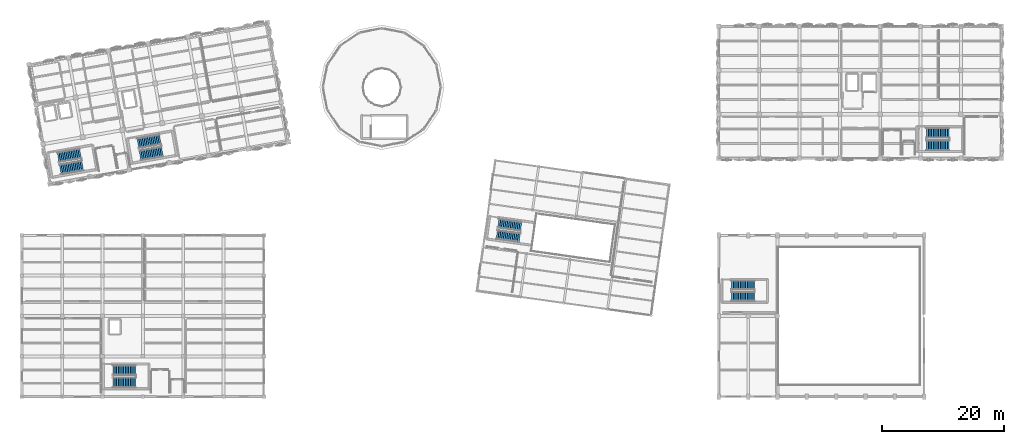
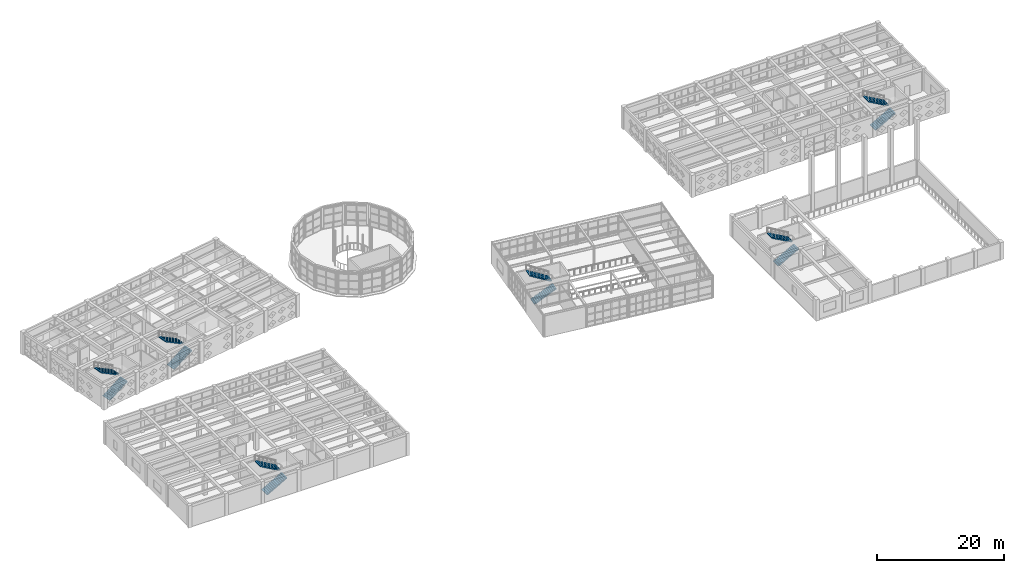
# One storey, part 72 of 80: 12 stair flights, 6 elements without a shape of their own.
"""IFC4 building model written with IfcOpenShell, lengths in metres."""

import ifcopenshell
import ifcopenshell.guid

model = None  # the IFC model being written
_history = None  # IfcOwnerHistory: only IFC2X3 demands one
_inside = {}  # id of a spatial element -> (the spatial element, [elements in it])
_under = {}  # id of a project, library or spatial element -> (it, [spatial elements below it])
_declared = {}  # id of a project -> (the project, [libraries it declares])
_typed = {}  # id of a type object -> (the type object, [elements of that type])
_made_of = {}  # id of a material, layer set ... -> (it, [elements and type objects made of it])


def new_model(schema):
    """Start an empty IFC model of exactly this schema.

    Asked for "IFC4X3", IfcOpenShell would pick the latest addendum, in which some entities
    have other attributes; the version numbers below select the first issue.
    IFC2X3 requires an IfcOwnerHistory on every rooted entity: one is made here for all.
    """
    global model, _history
    if schema == "IFC4X3":
        model = ifcopenshell.file(schema_version=(4, 3, 0, 0))
    else:
        model = ifcopenshell.file(schema=schema)
    _inside.clear()
    _under.clear()
    _declared.clear()
    _typed.clear()
    _made_of.clear()
    _history = None
    if model.schema == "IFC2X3":
        org = make("IfcOrganization", Name="unknown")
        user = make(
            "IfcPersonAndOrganization",
            ThePerson=make("IfcPerson", FamilyName="unknown"),
            TheOrganization=org,
        )
        app = make(
            "IfcApplication",
            ApplicationDeveloper=org,
            Version="unknown",
            ApplicationFullName="unknown",
            ApplicationIdentifier="unknown",
        )
        _history = make(
            "IfcOwnerHistory",
            OwningUser=user,
            OwningApplication=app,
            ChangeAction="ADDED",
            CreationDate=0,
        )
    return model


def make(cls, **values):
    """One entity of the class cls with the attributes given. An attribute that is None is left unset."""
    return model.create_entity(
        cls, **{name: value for name, value in values.items() if value is not None}
    )


def rooted(cls, **values):
    """An entity with a GlobalId (a new one), such as an element, a storey or a relation."""
    return make(cls, GlobalId=ifcopenshell.guid.new(), OwnerHistory=_history, **values)


def si_unit(unit_type, name, prefix=None):
    """IfcSIUnit, for example si_unit("LENGTHUNIT", "METRE", prefix="MILLI")."""
    return make("IfcSIUnit", UnitType=unit_type, Prefix=prefix, Name=name)


def assignment(units):
    """IfcUnitAssignment: the units of a project."""
    return None if units is None else make("IfcUnitAssignment", Units=units)


def point(xyz):
    """IfcCartesianPoint."""
    return None if xyz is None else make("IfcCartesianPoint", Coordinates=xyz)


def direction(xyz):
    """IfcDirection."""
    return None if xyz is None else make("IfcDirection", DirectionRatios=xyz)


def frame(location, z_axis=None, x_axis=None):
    """IfcAxis2Placement3D, a coordinate frame: its origin and axes. An axis left out is left unset."""
    return make(
        "IfcAxis2Placement3D",
        Location=point(location),
        Axis=direction(z_axis),
        RefDirection=direction(x_axis),
    )


def origin():
    """The frame at (0, 0, 0) with its axes left unset."""
    return frame((0.0, 0.0, 0.0))


def place(relative_to, where):
    """IfcLocalPlacement: puts the frame where relative to a parent placement (None: the world)."""
    return make(
        "IfcLocalPlacement", PlacementRelTo=relative_to, RelativePlacement=where
    )


def context(
    kind, dimensions, precision=None, world=None, true_north=None, identifier=None
):
    """IfcGeometricRepresentationContext, for example the 3D "Model" context."""
    return make(
        "IfcGeometricRepresentationContext",
        ContextIdentifier=identifier,
        ContextType=kind,
        CoordinateSpaceDimension=dimensions,
        Precision=precision,
        WorldCoordinateSystem=world,
        TrueNorth=true_north,
    )


def subcontext(parent, identifier, kind, view, scale=None):
    """IfcGeometricRepresentationSubContext, for example "Body" below "Model"."""
    return make(
        "IfcGeometricRepresentationSubContext",
        ContextIdentifier=identifier,
        ContextType=kind,
        ParentContext=parent,
        TargetScale=scale,
        TargetView=view,
    )


def project(units=None, contexts=None):
    """IfcProject with its units and contexts."""
    return rooted(
        "IfcProject",
        Name="project",
        RepresentationContexts=contexts,
        UnitsInContext=assignment(units),
    )


def spatial(cls, under=None, at=None, **own):
    """A site, building, storey or space (cls), placed at a placement, below another one or the project."""
    s = rooted(cls, ObjectPlacement=at, **own)
    if under is not None:
        _under.setdefault(under.id(), (under, []))[1].append(s)
    return s


def polyline(points):
    """IfcPolyline through the points."""
    return make("IfcPolyline", Points=[point(p) for p in points])


def outline(outer, holes=None, kind="AREA"):
    """IfcArbitraryClosedProfileDef: a profile drawn as a closed curve; with holes, ...WithVoids."""
    if holes is None:
        return make("IfcArbitraryClosedProfileDef", ProfileType=kind, OuterCurve=outer)
    return make(
        "IfcArbitraryProfileDefWithVoids",
        ProfileType=kind,
        OuterCurve=outer,
        InnerCurves=holes,
    )


def extrude(swept, where, along, depth):
    """IfcExtrudedAreaSolid: the profile swept, set in the frame where, extruded along a direction by depth."""
    return make(
        "IfcExtrudedAreaSolid",
        SweptArea=swept,
        Position=where,
        ExtrudedDirection=direction(along),
        Depth=depth,
    )


def shape(context_of_items, identifier, shape_type, items):
    """IfcShapeRepresentation: the items that make up one representation, for example the "Body"."""
    return make(
        "IfcShapeRepresentation",
        ContextOfItems=context_of_items,
        RepresentationIdentifier=identifier,
        RepresentationType=shape_type,
        Items=items,
    )


def material(Name=None, Category=None):
    """IfcMaterial."""
    return make("IfcMaterial", Name=Name, Category=Category)


def made_of(thing, what):
    """Note that an element or type object is made of a material, layer set ...; save() writes the relation."""
    if what is not None:
        _made_of.setdefault(what.id(), (what, []))[1].append(thing)
    return thing


def type_object(cls, material=None, **own):
    """A type object (cls), such as IfcWallType, which elements share."""
    return made_of(rooted(cls, **own), material)


def element(
    cls,
    number,
    at=None,
    inside=None,
    cuts=None,
    type_object=None,
    material=None,
    context=None,
    identifier="Body",
    shape_type=None,
    held_by="IfcProductDefinitionShape",
    body=None,
    shapes=None,
    **own,
):
    """One element of the class cls, such as IfcWall. Its Tag is "e" and its number.

    at: its placement. inside: the storey or other place that contains it. cuts: it is an
    opening in that element (IfcRelVoidsElement). A single representation is given by context,
    identifier, shape_type and body (its items); several are given by shapes. held_by: the class
    of the entity that holds the representations. save() writes the other relations.
    """
    e = rooted(cls, Tag="e%d" % number, ObjectPlacement=at, **own)
    if body is not None:
        shapes = [shape(context, identifier, shape_type, body)]
    if shapes is not None:
        e.Representation = make(held_by, Representations=shapes)
    if inside is not None:
        _inside.setdefault(inside.id(), (inside, []))[1].append(e)
    if cuts is not None:
        rooted(
            "IfcRelVoidsElement", RelatingBuildingElement=cuts, RelatedOpeningElement=e
        )
    if type_object is not None:
        _typed.setdefault(type_object.id(), (type_object, []))[1].append(e)
    return made_of(e, material)


def aggregate(whole, parts):
    """IfcRelAggregates: a whole, such as a stair, and the parts it consists of."""
    return rooted("IfcRelAggregates", RelatingObject=whole, RelatedObjects=parts)


def save(model, path):
    """Write the relations noted so far, then the file.

    IfcRelAggregates (storeys below a building ...), IfcRelContainedInSpatialStructure (elements
    in a storey), IfcRelDefinesByType, IfcRelAssociatesMaterial and IfcRelDeclares: one each for
    every whole, place, type object, material and project.
    """
    for whole, parts in _under.values():
        aggregate(whole, parts)
    for where, things in _inside.values():
        rooted(
            "IfcRelContainedInSpatialStructure",
            RelatedElements=things,
            RelatingStructure=where,
        )
    for kind, things in _typed.values():
        rooted("IfcRelDefinesByType", RelatedObjects=things, RelatingType=kind)
    for what, things in _made_of.values():
        rooted("IfcRelAssociatesMaterial", RelatedObjects=things, RelatingMaterial=what)
    for by, libraries in _declared.values():
        rooted("IfcRelDeclares", RelatingContext=by, RelatedDefinitions=libraries)
    model.write(path)


model = new_model("IFC4")

# Units and contexts
model_context = context("Model", 3, precision=1e-05, world=origin(), true_north=direction((0.0, 1.0)))
body_context = subcontext(model_context, "Body", "Model", "MODEL_VIEW")
ifc_project = project(units=[si_unit("LENGTHUNIT", "METRE"), si_unit("AREAUNIT", "SQUARE_METRE"), si_unit("VOLUMEUNIT", "CUBIC_METRE"), si_unit("PLANEANGLEUNIT", "RADIAN"), si_unit("MASSUNIT", "GRAM", prefix="KILO")], contexts=[model_context])

# Site, building, storey
site_placement = place(None, origin())
site = spatial("IfcSite", under=ifc_project, at=site_placement, CompositionType="ELEMENT")
building_placement = place(site_placement, origin())
building = spatial("IfcBuilding", under=site, at=building_placement, Name="Kharisveld Research Institute", CompositionType="ELEMENT")
storey_placement = place(building_placement, frame((0.0, 0.0, 5.10009765625)))
storey = spatial("IfcBuildingStorey", under=building, at=storey_placement, Name="L01", CompositionType="ELEMENT", Elevation=5.10009765625)

# Stair, stair flights
ifc_material_1 = material(Name="Concrete C40/50", Category="concrete")
stair_type_1 = type_object("IfcStairType", Name="ST_FEAT_154", PredefinedType="TWO_STRAIGHT_RUN_STAIR", material=ifc_material_1)
stair_1_placement = place(storey_placement, origin())
stair_1 = element("IfcStair", 1, at=stair_1_placement, inside=storey, type_object=stair_type_1, Name="STR:ST5:L01", PredefinedType="TWO_STRAIGHT_RUN_STAIR")
ifc_material_2 = material(Name="Concrete C40/50", Category="concrete")
stair_flight_type_1 = type_object("IfcStairFlightType", Name="SF_RUN_154", PredefinedType="STRAIGHT", material=ifc_material_2)
stair_flight_1_placement = place(storey_placement, frame((78.28271484375, 26.70263671875, 0.0), z_axis=(0.0, 0.0, 1.0), x_axis=(0.990268068742, -0.13917310096, 0.0)))
stair_flight_1 = element("IfcStairFlight", 2, at=stair_flight_1_placement, type_object=stair_flight_type_1, Name="ST-05 flight 1", NumberOfRisers=14, NumberOfTreads=13, PredefinedType="STRAIGHT", RiserHeight=0.160714, TreadLength=0.29, context=body_context, shape_type="SweptSolid", body=[
    extrude(outline(polyline([(0.0, 0.0), (0.0, 0.16064453125), (0.2900390625, 0.16064453125), (0.2900390625, 0.321533203125), (0.580078125, 0.321533203125), (0.580078125, 0.482177734375), (0.8701171875, 0.482177734375), (0.8701171875, 0.642822265625), (1.159912109375, 0.642822265625), (1.159912109375, 0.803466796875), (1.449951171875, 0.803466796875), (1.449951171875, 0.96435546875), (1.739990234375, 0.96435546875), (1.739990234375, 1.125), (2.030029296875, 1.125), (2.030029296875, 1.28564453125), (2.320068359375, 1.28564453125), (2.320068359375, 1.446533203125), (2.610107421875, 1.446533203125), (2.610107421875, 1.607177734375), (2.89990234375, 1.607177734375), (2.89990234375, 1.767822265625), (3.18994140625, 1.767822265625), (3.18994140625, 1.928466796875), (3.47998046875, 1.928466796875), (3.47998046875, 2.08935546875), (3.77001953125, 2.08935546875), (3.77001953125, 2.25), (3.77001953125, 1.91796875), (0.309326171875, 0.0), (0.0, 0.0)])), frame((0.0, 0.77001953125, 0.0), z_axis=(0.0, -1.0, 0.0), x_axis=(1.0, 0.0, 0.0)), (0.0, 0.0, 1.0), 1.5400390625),
])
stair_flight_2_placement = place(storey_placement, frame((82.280517578125, 28.0595703125, 2.25), z_axis=(0.0, 0.0, 1.0), x_axis=(-0.990268068742, 0.13917310096, 0.0)))
stair_flight_2 = element("IfcStairFlight", 3, at=stair_flight_2_placement, type_object=stair_flight_type_1, Name="ST-05 flight 2", NumberOfRisers=14, NumberOfTreads=13, PredefinedType="STRAIGHT", RiserHeight=0.160714, TreadLength=0.29, context=body_context, shape_type="SweptSolid", body=[
    extrude(outline(polyline([(0.0, 0.0), (0.0, 0.16064453125), (0.2900390625, 0.16064453125), (0.2900390625, 0.321533203125), (0.580078125, 0.321533203125), (0.580078125, 0.482177734375), (0.8701171875, 0.482177734375), (0.8701171875, 0.642822265625), (1.159912109375, 0.642822265625), (1.159912109375, 0.803466796875), (1.449951171875, 0.803466796875), (1.449951171875, 0.96435546875), (1.739990234375, 0.96435546875), (1.739990234375, 1.125), (2.030029296875, 1.125), (2.030029296875, 1.28564453125), (2.320068359375, 1.28564453125), (2.320068359375, 1.446533203125), (2.610107421875, 1.446533203125), (2.610107421875, 1.607177734375), (2.89990234375, 1.607177734375), (2.89990234375, 1.767822265625), (3.18994140625, 1.767822265625), (3.18994140625, 1.928466796875), (3.47998046875, 1.928466796875), (3.47998046875, 2.08935546875), (3.77001953125, 2.08935546875), (3.77001953125, 2.25), (3.77001953125, 1.91796875), (0.309326171875, 0.0), (0.0, 0.0)])), frame((0.0, 0.77001953125, 0.0), z_axis=(0.0, -1.0, 0.0), x_axis=(1.0, 0.0, 0.0)), (0.0, 0.0, 1.0), 1.5400390625),
])
aggregate(stair_1, [stair_flight_1, stair_flight_2])

stair_2_placement = place(storey_placement, origin())
stair_2 = element("IfcStair", 4, at=stair_2_placement, inside=storey, type_object=stair_type_1, Name="STR:ST6:L01", PredefinedType="TWO_STRAIGHT_RUN_STAIR")
stair_flight_3_placement = place(storey_placement, frame((116.669921875, 16.570068359375, 0.0), z_axis=(0.0, 0.0, 1.0), x_axis=(1.0, 0.0, 0.0)))
stair_flight_3 = element("IfcStairFlight", 5, at=stair_flight_3_placement, type_object=stair_flight_type_1, Name="ST-06 flight 1", NumberOfRisers=14, NumberOfTreads=13, PredefinedType="STRAIGHT", RiserHeight=0.160714, TreadLength=0.29, context=body_context, shape_type="SweptSolid", body=[
    extrude(outline(polyline([(0.0, 0.0), (0.0, 0.16064453125), (0.2900390625, 0.16064453125), (0.2900390625, 0.321533203125), (0.580078125, 0.321533203125), (0.580078125, 0.482177734375), (0.8701171875, 0.482177734375), (0.8701171875, 0.642822265625), (1.159912109375, 0.642822265625), (1.159912109375, 0.803466796875), (1.449951171875, 0.803466796875), (1.449951171875, 0.96435546875), (1.739990234375, 0.96435546875), (1.739990234375, 1.125), (2.030029296875, 1.125), (2.030029296875, 1.28564453125), (2.320068359375, 1.28564453125), (2.320068359375, 1.446533203125), (2.610107421875, 1.446533203125), (2.610107421875, 1.607177734375), (2.89990234375, 1.607177734375), (2.89990234375, 1.767822265625), (3.18994140625, 1.767822265625), (3.18994140625, 1.928466796875), (3.47998046875, 1.928466796875), (3.47998046875, 2.08935546875), (3.77001953125, 2.08935546875), (3.77001953125, 2.25), (3.77001953125, 1.91796875), (0.309326171875, 0.0), (0.0, 0.0)])), frame((0.0, 0.77001953125, 0.0), z_axis=(0.0, -1.0, 0.0), x_axis=(1.0, 0.0, 0.0)), (0.0, 0.0, 1.0), 1.5400390625),
])
stair_flight_4_placement = place(storey_placement, frame((120.43994140625, 18.469970703125, 2.25), z_axis=(0.0, 0.0, 1.0), x_axis=(-1.0, 0.0, 0.0)))
stair_flight_4 = element("IfcStairFlight", 6, at=stair_flight_4_placement, type_object=stair_flight_type_1, Name="ST-06 flight 2", NumberOfRisers=14, NumberOfTreads=13, PredefinedType="STRAIGHT", RiserHeight=0.160714, TreadLength=0.29, context=body_context, shape_type="SweptSolid", body=[
    extrude(outline(polyline([(0.0, 0.0), (0.0, 0.16064453125), (0.2900390625, 0.16064453125), (0.2900390625, 0.321533203125), (0.580078125, 0.321533203125), (0.580078125, 0.482177734375), (0.8701171875, 0.482177734375), (0.8701171875, 0.642822265625), (1.159912109375, 0.642822265625), (1.159912109375, 0.803466796875), (1.449951171875, 0.803466796875), (1.449951171875, 0.96435546875), (1.739990234375, 0.96435546875), (1.739990234375, 1.125), (2.030029296875, 1.125), (2.030029296875, 1.28564453125), (2.320068359375, 1.28564453125), (2.320068359375, 1.446533203125), (2.610107421875, 1.446533203125), (2.610107421875, 1.607177734375), (2.89990234375, 1.607177734375), (2.89990234375, 1.767822265625), (3.18994140625, 1.767822265625), (3.18994140625, 1.928466796875), (3.47998046875, 1.928466796875), (3.47998046875, 2.08935546875), (3.77001953125, 2.08935546875), (3.77001953125, 2.25), (3.77001953125, 1.91796875), (0.309326171875, 0.0), (0.0, 0.0)])), frame((0.0, 0.77001953125, 0.0), z_axis=(0.0, -1.0, 0.0), x_axis=(1.0, 0.0, 0.0)), (0.0, 0.0, 1.0), 1.5400390625),
])
aggregate(stair_2, [stair_flight_3, stair_flight_4])

ifc_material_3 = material(Name="Concrete C40/50", Category="concrete")
stair_type_2 = type_object("IfcStairType", Name="ST_EXIT_170", PredefinedType="TWO_STRAIGHT_RUN_STAIR", material=ifc_material_3)
stair_3_placement = place(storey_placement, origin())
stair_3 = element("IfcStair", 7, at=stair_3_placement, inside=storey, type_object=stair_type_2, Name="STR:ST1:L01", PredefinedType="TWO_STRAIGHT_RUN_STAIR")
ifc_material_4 = material(Name="Concrete C40/50", Category="concrete")
stair_flight_type_2 = type_object("IfcStairFlightType", Name="SF_RUN_170", PredefinedType="STRAIGHT", material=ifc_material_4)
stair_flight_5_placement = place(storey_placement, frame((6.891357421875, 37.339111328125, 0.0), z_axis=(0.0, 0.0, 1.0), x_axis=(0.984807753012, 0.173648177667, 0.0)))
stair_flight_5 = element("IfcStairFlight", 8, at=stair_flight_5_placement, type_object=stair_flight_type_2, Name="ST-01 flight 1", NumberOfRisers=14, NumberOfTreads=13, PredefinedType="STRAIGHT", RiserHeight=0.160714, TreadLength=0.285, context=body_context, shape_type="SweptSolid", body=[
    extrude(outline(polyline([(0.0, 0.0), (0.0, 0.16064453125), (0.284912109375, 0.16064453125), (0.284912109375, 0.321533203125), (0.570068359375, 0.321533203125), (0.570068359375, 0.482177734375), (0.85498046875, 0.482177734375), (0.85498046875, 0.642822265625), (1.139892578125, 0.642822265625), (1.139892578125, 0.803466796875), (1.425048828125, 0.803466796875), (1.425048828125, 0.96435546875), (1.7099609375, 0.96435546875), (1.7099609375, 1.125), (1.9951171875, 1.125), (1.9951171875, 1.28564453125), (2.280029296875, 1.28564453125), (2.280029296875, 1.446533203125), (2.56494140625, 1.446533203125), (2.56494140625, 1.607177734375), (2.85009765625, 1.607177734375), (2.85009765625, 1.767822265625), (3.135009765625, 1.767822265625), (3.135009765625, 1.928466796875), (3.419921875, 1.928466796875), (3.419921875, 2.08935546875), (3.705078125, 2.08935546875), (3.705078125, 2.25), (3.705078125, 1.917236328125), (0.30517578125, 0.0), (0.0, 0.0)])), frame((0.0, 0.85009765625, 0.0), z_axis=(0.0, -1.0, 0.0), x_axis=(1.0, 0.0, 0.0)), (0.0, 0.0, 1.0), 1.699951171875),
])
stair_flight_6_placement = place(storey_placement, frame((10.182373046875, 40.01123046875, 2.25), z_axis=(0.0, 0.0, 1.0), x_axis=(-0.984807753012, -0.173648177667, 0.0)))
stair_flight_6 = element("IfcStairFlight", 9, at=stair_flight_6_placement, type_object=stair_flight_type_2, Name="ST-01 flight 2", NumberOfRisers=14, NumberOfTreads=13, PredefinedType="STRAIGHT", RiserHeight=0.160714, TreadLength=0.285, context=body_context, shape_type="SweptSolid", body=[
    extrude(outline(polyline([(0.0, 0.0), (0.0, 0.16064453125), (0.284912109375, 0.16064453125), (0.284912109375, 0.321533203125), (0.570068359375, 0.321533203125), (0.570068359375, 0.482177734375), (0.85498046875, 0.482177734375), (0.85498046875, 0.642822265625), (1.139892578125, 0.642822265625), (1.139892578125, 0.803466796875), (1.425048828125, 0.803466796875), (1.425048828125, 0.96435546875), (1.7099609375, 0.96435546875), (1.7099609375, 1.125), (1.9951171875, 1.125), (1.9951171875, 1.28564453125), (2.280029296875, 1.28564453125), (2.280029296875, 1.446533203125), (2.56494140625, 1.446533203125), (2.56494140625, 1.607177734375), (2.85009765625, 1.607177734375), (2.85009765625, 1.767822265625), (3.135009765625, 1.767822265625), (3.135009765625, 1.928466796875), (3.419921875, 1.928466796875), (3.419921875, 2.08935546875), (3.705078125, 2.08935546875), (3.705078125, 2.25), (3.705078125, 1.917236328125), (0.30517578125, 0.0), (0.0, 0.0)])), frame((0.0, 0.85009765625, 0.0), z_axis=(0.0, -1.0, 0.0), x_axis=(1.0, 0.0, 0.0)), (0.0, 0.0, 1.0), 1.699951171875),
])
aggregate(stair_3, [stair_flight_5, stair_flight_6])

stair_4_placement = place(storey_placement, origin())
stair_4 = element("IfcStair", 10, at=stair_4_placement, inside=storey, type_object=stair_type_2, Name="STR:ST2:L01", PredefinedType="TWO_STRAIGHT_RUN_STAIR")
stair_flight_7_placement = place(storey_placement, frame((19.93994140625, 39.639892578125, 0.0), z_axis=(0.0, 0.0, 1.0), x_axis=(0.984807753012, 0.173648177667, 0.0)))
stair_flight_7 = element("IfcStairFlight", 11, at=stair_flight_7_placement, type_object=stair_flight_type_2, Name="ST-02 flight 1", NumberOfRisers=14, NumberOfTreads=13, PredefinedType="STRAIGHT", RiserHeight=0.160714, TreadLength=0.285, context=body_context, shape_type="SweptSolid", body=[
    extrude(outline(polyline([(0.0, 0.0), (0.0, 0.16064453125), (0.284912109375, 0.16064453125), (0.284912109375, 0.321533203125), (0.570068359375, 0.321533203125), (0.570068359375, 0.482177734375), (0.85498046875, 0.482177734375), (0.85498046875, 0.642822265625), (1.139892578125, 0.642822265625), (1.139892578125, 0.803466796875), (1.425048828125, 0.803466796875), (1.425048828125, 0.96435546875), (1.7099609375, 0.96435546875), (1.7099609375, 1.125), (1.9951171875, 1.125), (1.9951171875, 1.28564453125), (2.280029296875, 1.28564453125), (2.280029296875, 1.446533203125), (2.56494140625, 1.446533203125), (2.56494140625, 1.607177734375), (2.85009765625, 1.607177734375), (2.85009765625, 1.767822265625), (3.135009765625, 1.767822265625), (3.135009765625, 1.928466796875), (3.419921875, 1.928466796875), (3.419921875, 2.08935546875), (3.705078125, 2.08935546875), (3.705078125, 2.25), (3.705078125, 1.917236328125), (0.30517578125, 0.0), (0.0, 0.0)])), frame((0.0, 0.85009765625, 0.0), z_axis=(0.0, -1.0, 0.0), x_axis=(1.0, 0.0, 0.0)), (0.0, 0.0, 1.0), 1.699951171875),
])
stair_flight_8_placement = place(storey_placement, frame((23.23095703125, 42.31201171875, 2.25), z_axis=(0.0, 0.0, 1.0), x_axis=(-0.984807753012, -0.173648177667, 0.0)))
stair_flight_8 = element("IfcStairFlight", 12, at=stair_flight_8_placement, type_object=stair_flight_type_2, Name="ST-02 flight 2", NumberOfRisers=14, NumberOfTreads=13, PredefinedType="STRAIGHT", RiserHeight=0.160714, TreadLength=0.285, context=body_context, shape_type="SweptSolid", body=[
    extrude(outline(polyline([(0.0, 0.0), (0.0, 0.16064453125), (0.284912109375, 0.16064453125), (0.284912109375, 0.321533203125), (0.570068359375, 0.321533203125), (0.570068359375, 0.482177734375), (0.85498046875, 0.482177734375), (0.85498046875, 0.642822265625), (1.139892578125, 0.642822265625), (1.139892578125, 0.803466796875), (1.425048828125, 0.803466796875), (1.425048828125, 0.96435546875), (1.7099609375, 0.96435546875), (1.7099609375, 1.125), (1.9951171875, 1.125), (1.9951171875, 1.28564453125), (2.280029296875, 1.28564453125), (2.280029296875, 1.446533203125), (2.56494140625, 1.446533203125), (2.56494140625, 1.607177734375), (2.85009765625, 1.607177734375), (2.85009765625, 1.767822265625), (3.135009765625, 1.767822265625), (3.135009765625, 1.928466796875), (3.419921875, 1.928466796875), (3.419921875, 2.08935546875), (3.705078125, 2.08935546875), (3.705078125, 2.25), (3.705078125, 1.917236328125), (0.30517578125, 0.0), (0.0, 0.0)])), frame((0.0, 0.85009765625, 0.0), z_axis=(0.0, -1.0, 0.0), x_axis=(1.0, 0.0, 0.0)), (0.0, 0.0, 1.0), 1.699951171875),
])
aggregate(stair_4, [stair_flight_7, stair_flight_8])

stair_5_placement = place(storey_placement, origin())
stair_5 = element("IfcStair", 13, at=stair_5_placement, inside=storey, type_object=stair_type_2, Name="STR:ST3:L01", PredefinedType="TWO_STRAIGHT_RUN_STAIR")
stair_flight_9_placement = place(storey_placement, frame((148.570068359375, 41.300048828125, 0.0), z_axis=(0.0, 0.0, 1.0), x_axis=(1.0, 0.0, 0.0)))
stair_flight_9 = element("IfcStairFlight", 14, at=stair_flight_9_placement, type_object=stair_flight_type_2, Name="ST-03 flight 1", NumberOfRisers=14, NumberOfTreads=13, PredefinedType="STRAIGHT", RiserHeight=0.160714, TreadLength=0.285, context=body_context, shape_type="SweptSolid", body=[
    extrude(outline(polyline([(0.0, 0.0), (0.0, 0.16064453125), (0.284912109375, 0.16064453125), (0.284912109375, 0.321533203125), (0.570068359375, 0.321533203125), (0.570068359375, 0.482177734375), (0.85498046875, 0.482177734375), (0.85498046875, 0.642822265625), (1.139892578125, 0.642822265625), (1.139892578125, 0.803466796875), (1.425048828125, 0.803466796875), (1.425048828125, 0.96435546875), (1.7099609375, 0.96435546875), (1.7099609375, 1.125), (1.9951171875, 1.125), (1.9951171875, 1.28564453125), (2.280029296875, 1.28564453125), (2.280029296875, 1.446533203125), (2.56494140625, 1.446533203125), (2.56494140625, 1.607177734375), (2.85009765625, 1.607177734375), (2.85009765625, 1.767822265625), (3.135009765625, 1.767822265625), (3.135009765625, 1.928466796875), (3.419921875, 1.928466796875), (3.419921875, 2.08935546875), (3.705078125, 2.08935546875), (3.705078125, 2.25), (3.705078125, 1.917236328125), (0.30517578125, 0.0), (0.0, 0.0)])), frame((0.0, 0.85009765625, 0.0), z_axis=(0.0, -1.0, 0.0), x_axis=(1.0, 0.0, 0.0)), (0.0, 0.0, 1.0), 1.699951171875),
])
stair_flight_10_placement = place(storey_placement, frame((152.27490234375, 43.360107421875, 2.25), z_axis=(0.0, 0.0, 1.0), x_axis=(-1.0, 0.0, 0.0)))
stair_flight_10 = element("IfcStairFlight", 15, at=stair_flight_10_placement, type_object=stair_flight_type_2, Name="ST-03 flight 2", NumberOfRisers=14, NumberOfTreads=13, PredefinedType="STRAIGHT", RiserHeight=0.160714, TreadLength=0.285, context=body_context, shape_type="SweptSolid", body=[
    extrude(outline(polyline([(0.0, 0.0), (0.0, 0.16064453125), (0.284912109375, 0.16064453125), (0.284912109375, 0.321533203125), (0.570068359375, 0.321533203125), (0.570068359375, 0.482177734375), (0.85498046875, 0.482177734375), (0.85498046875, 0.642822265625), (1.139892578125, 0.642822265625), (1.139892578125, 0.803466796875), (1.425048828125, 0.803466796875), (1.425048828125, 0.96435546875), (1.7099609375, 0.96435546875), (1.7099609375, 1.125), (1.9951171875, 1.125), (1.9951171875, 1.28564453125), (2.280029296875, 1.28564453125), (2.280029296875, 1.446533203125), (2.56494140625, 1.446533203125), (2.56494140625, 1.607177734375), (2.85009765625, 1.607177734375), (2.85009765625, 1.767822265625), (3.135009765625, 1.767822265625), (3.135009765625, 1.928466796875), (3.419921875, 1.928466796875), (3.419921875, 2.08935546875), (3.705078125, 2.08935546875), (3.705078125, 2.25), (3.705078125, 1.917236328125), (0.30517578125, 0.0), (0.0, 0.0)])), frame((0.0, 0.85009765625, 0.0), z_axis=(0.0, -1.0, 0.0), x_axis=(1.0, 0.0, 0.0)), (0.0, 0.0, 1.0), 1.699951171875),
])
aggregate(stair_5, [stair_flight_9, stair_flight_10])

stair_6_placement = place(storey_placement, origin())
stair_6 = element("IfcStair", 16, at=stair_6_placement, inside=storey, type_object=stair_type_2, Name="STR:ST4:L01", PredefinedType="TWO_STRAIGHT_RUN_STAIR")
stair_flight_11_placement = place(storey_placement, frame((15.52001953125, 2.5, 0.0), z_axis=(0.0, 0.0, 1.0), x_axis=(1.0, 0.0, 0.0)))
stair_flight_11 = element("IfcStairFlight", 17, at=stair_flight_11_placement, type_object=stair_flight_type_2, Name="ST-04 flight 1", NumberOfRisers=14, NumberOfTreads=13, PredefinedType="STRAIGHT", RiserHeight=0.160714, TreadLength=0.285, context=body_context, shape_type="SweptSolid", body=[
    extrude(outline(polyline([(0.0, 0.0), (0.0, 0.16064453125), (0.284912109375, 0.16064453125), (0.284912109375, 0.321533203125), (0.570068359375, 0.321533203125), (0.570068359375, 0.482177734375), (0.85498046875, 0.482177734375), (0.85498046875, 0.642822265625), (1.139892578125, 0.642822265625), (1.139892578125, 0.803466796875), (1.425048828125, 0.803466796875), (1.425048828125, 0.96435546875), (1.7099609375, 0.96435546875), (1.7099609375, 1.125), (1.9951171875, 1.125), (1.9951171875, 1.28564453125), (2.280029296875, 1.28564453125), (2.280029296875, 1.446533203125), (2.56494140625, 1.446533203125), (2.56494140625, 1.607177734375), (2.85009765625, 1.607177734375), (2.85009765625, 1.767822265625), (3.135009765625, 1.767822265625), (3.135009765625, 1.928466796875), (3.419921875, 1.928466796875), (3.419921875, 2.08935546875), (3.705078125, 2.08935546875), (3.705078125, 2.25), (3.705078125, 1.917236328125), (0.30517578125, 0.0), (0.0, 0.0)])), frame((0.0, 0.85009765625, 0.0), z_axis=(0.0, -1.0, 0.0), x_axis=(1.0, 0.0, 0.0)), (0.0, 0.0, 1.0), 1.699951171875),
])
stair_flight_12_placement = place(storey_placement, frame((19.22509765625, 4.56005859375, 2.25), z_axis=(0.0, 0.0, 1.0), x_axis=(-1.0, 0.0, 0.0)))
stair_flight_12 = element("IfcStairFlight", 18, at=stair_flight_12_placement, type_object=stair_flight_type_2, Name="ST-04 flight 2", NumberOfRisers=14, NumberOfTreads=13, PredefinedType="STRAIGHT", RiserHeight=0.160714, TreadLength=0.285, context=body_context, shape_type="SweptSolid", body=[
    extrude(outline(polyline([(0.0, 0.0), (0.0, 0.16064453125), (0.284912109375, 0.16064453125), (0.284912109375, 0.321533203125), (0.570068359375, 0.321533203125), (0.570068359375, 0.482177734375), (0.85498046875, 0.482177734375), (0.85498046875, 0.642822265625), (1.139892578125, 0.642822265625), (1.139892578125, 0.803466796875), (1.425048828125, 0.803466796875), (1.425048828125, 0.96435546875), (1.7099609375, 0.96435546875), (1.7099609375, 1.125), (1.9951171875, 1.125), (1.9951171875, 1.28564453125), (2.280029296875, 1.28564453125), (2.280029296875, 1.446533203125), (2.56494140625, 1.446533203125), (2.56494140625, 1.607177734375), (2.85009765625, 1.607177734375), (2.85009765625, 1.767822265625), (3.135009765625, 1.767822265625), (3.135009765625, 1.928466796875), (3.419921875, 1.928466796875), (3.419921875, 2.08935546875), (3.705078125, 2.08935546875), (3.705078125, 2.25), (3.705078125, 1.917236328125), (0.30517578125, 0.0), (0.0, 0.0)])), frame((0.0, 0.85009765625, 0.0), z_axis=(0.0, -1.0, 0.0), x_axis=(1.0, 0.0, 0.0)), (0.0, 0.0, 1.0), 1.699951171875),
])
aggregate(stair_6, [stair_flight_11, stair_flight_12])

save(model, "model.ifc")
